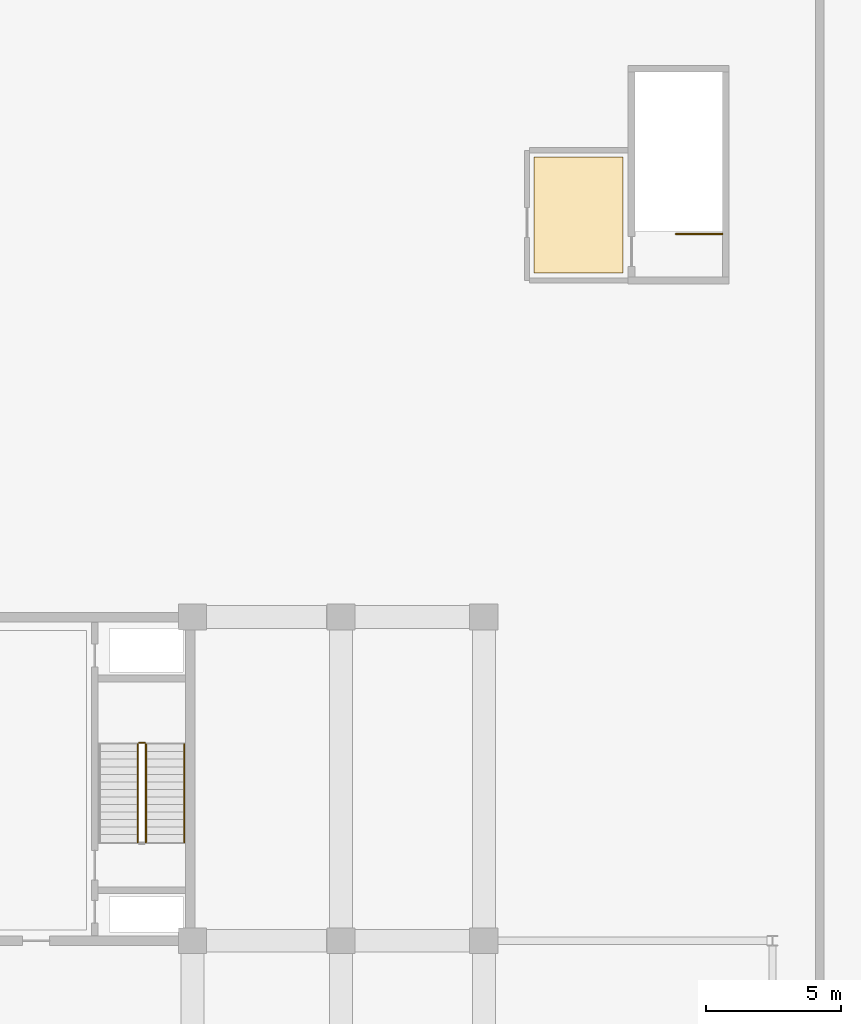
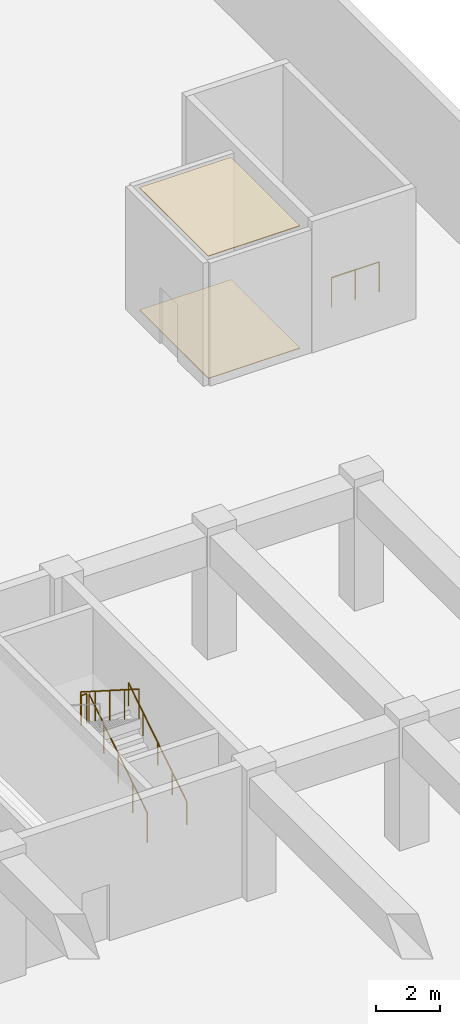
# One storey, part 35 of 38: 5 railings, 2 coverings.
"""IFC4 building model written with IfcOpenShell, lengths in metres."""

from ifc_helpers import new_model, si_unit, direction, frame, origin, origin_2d, place, context, subcontext, project, spatial, polyline, circle, outline, extrude, material, layer, layer_set, type_object, element, save


model = new_model("IFC4")

# Units and contexts
model_context = context("Model", 3, precision=1e-05, world=origin(), true_north=direction((0.0, 1.0)))
body_context = subcontext(model_context, "Body", "Model", "MODEL_VIEW")
ifc_project = project(units=[si_unit("LENGTHUNIT", "METRE"), si_unit("AREAUNIT", "SQUARE_METRE"), si_unit("VOLUMEUNIT", "CUBIC_METRE"), si_unit("PLANEANGLEUNIT", "RADIAN"), si_unit("MASSUNIT", "GRAM", prefix="KILO")], contexts=[model_context])

# Site, building, storey
site_placement = place(None, origin())
site = spatial("IfcSite", under=ifc_project, at=site_placement, CompositionType="ELEMENT")
building_placement = place(site_placement, origin())
building = spatial("IfcBuilding", under=site, at=building_placement, Name="Korimba Cascade Residences", CompositionType="ELEMENT")
storey_placement = place(building_placement, frame((0.0, 0.0, 19.0)))
storey = spatial("IfcBuildingStorey", under=building, at=storey_placement, Name="L04", CompositionType="ELEMENT", Elevation=19.0)

# Coverings
ifc_material_1 = material(Name="Perforated Acoustic Gypsum Ceiling", Category="gypsum")
ifc_layer_1 = layer(ifc_material_1, 0.02490234375)
ifc_layer_set_1 = layer_set([ifc_layer_1], Name="Perforated Acoustic Gypsum Ceiling")
covering_type_1 = type_object("IfcCoveringType", Name="COV-CLG-AC", PredefinedType="CEILING", material=ifc_layer_set_1)
covering_1_placement = place(storey_placement, frame((0.0, 0.0, 4.655029296875)))
element("IfcCovering", 1, at=covering_1_placement, inside=storey, type_object=covering_type_1, Name="L04 Suspended Acoustic Ceiling L04-PLE", PredefinedType="CEILING", context=body_context, shape_type="SweptSolid", body=[
    extrude(outline(polyline([(130.75, 43.14990234375), (134.050048828125, 43.14990234375), (134.050048828125, 47.449951171875), (130.75, 47.449951171875), (130.75, 43.14990234375)])), origin(), (0.0, 0.0, 1.0), 0.02490234375),
])
ifc_material_2 = material(Name="Honed Travertine Stone Flooring", Category="masonry")
ifc_layer_2 = layer(ifc_material_2, 0.02490234375)
ifc_layer_set_2 = layer_set([ifc_layer_2], Name="Honed Travertine Stone Flooring")
covering_type_2 = type_object("IfcCoveringType", Name="COV-FLR-STN", PredefinedType="FLOORING", material=ifc_layer_set_2)
covering_2_placement = place(storey_placement, origin())
element("IfcCovering", 2, at=covering_2_placement, inside=storey, type_object=covering_type_2, Name="L04 Honed Travertine Stone Flooring L04-PLE", PredefinedType="FLOORING", context=body_context, shape_type="SweptSolid", body=[
    extrude(outline(polyline([(130.75, 43.14990234375), (134.050048828125, 43.14990234375), (134.050048828125, 47.449951171875), (130.75, 47.449951171875), (130.75, 43.14990234375)])), origin(), (0.0, 0.0, 1.0), 0.02490234375),
])

# Railings
ifc_material_3 = material(Name="Painted Steel Stairwell Guardrail", Category="steel")
railing_type_1 = type_object("IfcRailingType", Name="RLG-ST-GD1150", PredefinedType="GUARDRAIL", material=ifc_material_3)
railing_1_placement = place(storey_placement, frame((116.3701171875, 22.050048828125, 0.178466796875)))
element("IfcRailing", 3, at=railing_1_placement, inside=storey, type_object=railing_type_1, Name="L04 ST-E2 stair guard 1", PredefinedType="GUARDRAIL", context=body_context, shape_type="SweptSolid", body=[
    extrude(circle(Radius=0.02392578125, at=origin_2d()), frame((0.0, 0.0, 1.1259765625), z_axis=(0.0, 0.843111507901, 0.53773877045), x_axis=(-1.0, 0.0, 0.0)), (0.0, 0.0, 1.0), 4.317138671875),
    extrude(circle(Radius=0.02099609375, at=origin_2d()), origin(), (0.0, 0.0, 1.0), 1.101806640625),
    extrude(circle(Radius=0.02099609375, at=origin_2d()), frame((0.0, 0.909912109375, 0.580322265625)), (0.0, 0.0, 1.0), 1.101806640625),
    extrude(circle(Radius=0.02099609375, at=origin_2d()), frame((0.0, 1.81982421875, 1.16064453125)), (0.0, 0.0, 1.0), 1.101806640625),
    extrude(circle(Radius=0.02099609375, at=origin_2d()), frame((0.0, 2.72998046875, 1.7412109375)), (0.0, 0.0, 1.0), 1.101806640625),
    extrude(circle(Radius=0.02099609375, at=origin_2d()), frame((0.0, 3.639892578125, 2.321533203125)), (0.0, 0.0, 1.0), 1.101806640625),
])
railing_2_placement = place(storey_placement, frame((116.320068359375, 25.739990234375, 2.5)))
element("IfcRailing", 4, at=railing_2_placement, inside=storey, type_object=railing_type_1, Name="L04 ST-E2 stair guard 2", PredefinedType="GUARDRAIL", context=body_context, shape_type="SweptSolid", body=[
    extrude(circle(Radius=0.02392578125, at=origin_2d()), frame((0.0, 0.0, 1.1259765625), z_axis=(-1.0, 0.0, 0.0), x_axis=(0.0, -1.0, 0.0)), (0.0, 0.0, 1.0), 0.199951171875),
    extrude(circle(Radius=0.02099609375, at=origin_2d()), origin(), (0.0, 0.0, 1.0), 1.101806640625),
    extrude(circle(Radius=0.02099609375, at=origin_2d()), frame((-0.199951171875, 0.0, 0.0)), (0.0, 0.0, 1.0), 1.101806640625),
])
railing_3_placement = place(storey_placement, frame((116.070068359375, 25.68994140625, 2.678466796875)))
element("IfcRailing", 5, at=railing_3_placement, inside=storey, type_object=railing_type_1, Name="L04 ST-E2 stair guard 3", PredefinedType="GUARDRAIL", context=body_context, shape_type="SweptSolid", body=[
    extrude(circle(Radius=0.02392578125, at=origin_2d()), frame((0.0, 0.0, 1.1259765625), z_axis=(0.0, -0.843111507901, 0.53773877045), x_axis=(1.0, 0.0, 0.0)), (0.0, 0.0, 1.0), 4.317138671875),
    extrude(circle(Radius=0.02099609375, at=origin_2d()), origin(), (0.0, 0.0, 1.0), 1.101806640625),
    extrude(circle(Radius=0.02099609375, at=origin_2d()), frame((0.0, -0.909912109375, 0.580322265625)), (0.0, 0.0, 1.0), 1.101806640625),
    extrude(circle(Radius=0.02099609375, at=origin_2d()), frame((0.0, -1.81982421875, 1.16064453125)), (0.0, 0.0, 1.0), 1.101806640625),
    extrude(circle(Radius=0.02099609375, at=origin_2d()), frame((0.0, -2.72998046875, 1.7412109375)), (0.0, 0.0, 1.0), 1.101806640625),
    extrude(circle(Radius=0.02099609375, at=origin_2d()), frame((0.0, -3.639892578125, 2.321533203125)), (0.0, 0.0, 1.0), 1.101806640625),
])
railing_4_placement = place(storey_placement, frame((137.739990234375, 44.60009765625, 0.0)))
element("IfcRailing", 6, at=railing_4_placement, inside=storey, type_object=railing_type_1, Name="L04 ST-P2 top well guard 1", PredefinedType="GUARDRAIL", context=body_context, shape_type="SweptSolid", body=[
    extrude(circle(Radius=0.02392578125, at=origin_2d()), frame((0.0, 0.0, 1.1259765625), z_axis=(-1.0, 0.0, 0.0), x_axis=(0.0, -1.0, 0.0)), (0.0, 0.0, 1.0), 1.719970703125),
    extrude(circle(Radius=0.02099609375, at=origin_2d()), origin(), (0.0, 0.0, 1.0), 1.101806640625),
    extrude(circle(Radius=0.02099609375, at=origin_2d()), frame((-0.85986328125, 0.0, 0.0)), (0.0, 0.0, 1.0), 1.101806640625),
    extrude(circle(Radius=0.02099609375, at=origin_2d()), frame((-1.719970703125, 0.0, 0.0)), (0.0, 0.0, 1.0), 1.101806640625),
])
ifc_material_4 = material(Name="Brushed Stainless Steel Handrail", Category="steel")
railing_type_2 = type_object("IfcRailingType", Name="RLG-ST-HR900", PredefinedType="HANDRAIL", material=ifc_material_4)
railing_5_placement = place(storey_placement, frame((117.7900390625, 22.050048828125, 0.36083984375)))
element("IfcRailing", 7, at=railing_5_placement, inside=storey, type_object=railing_type_2, Name="L04 ST-E2 stair handrail 1", PredefinedType="HANDRAIL", context=body_context, shape_type="SweptSolid", body=[
    extrude(circle(Radius=0.02392578125, at=origin_2d()), frame((0.0, 0.0, 0.8759765625), z_axis=(0.0, 0.843111507901, 0.53773877045), x_axis=(-1.0, 0.0, 0.0)), (0.0, 0.0, 1.0), 4.317138671875),
    extrude(circle(Radius=0.02099609375, at=origin_2d()), origin(), (0.0, 0.0, 1.0), 0.851806640625),
    extrude(circle(Radius=0.02099609375, at=origin_2d()), frame((0.0, 0.909912109375, 0.580322265625)), (0.0, 0.0, 1.0), 0.851806640625),
    extrude(circle(Radius=0.02099609375, at=origin_2d()), frame((0.0, 1.81982421875, 1.16064453125)), (0.0, 0.0, 1.0), 0.851806640625),
    extrude(circle(Radius=0.02099609375, at=origin_2d()), frame((0.0, 2.72998046875, 1.7412109375)), (0.0, 0.0, 1.0), 0.851806640625),
    extrude(circle(Radius=0.02099609375, at=origin_2d()), frame((0.0, 3.639892578125, 2.321533203125)), (0.0, 0.0, 1.0), 0.851806640625),
])

save(model, "model.ifc")
